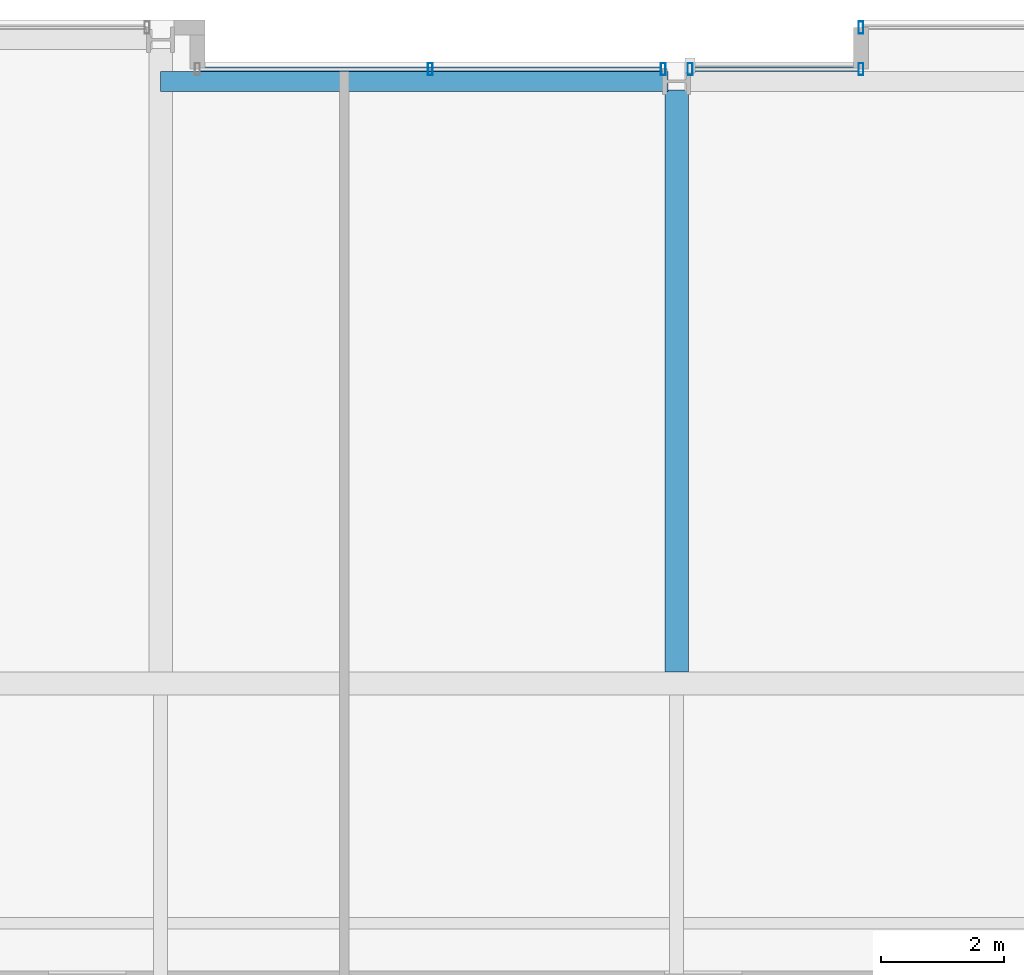
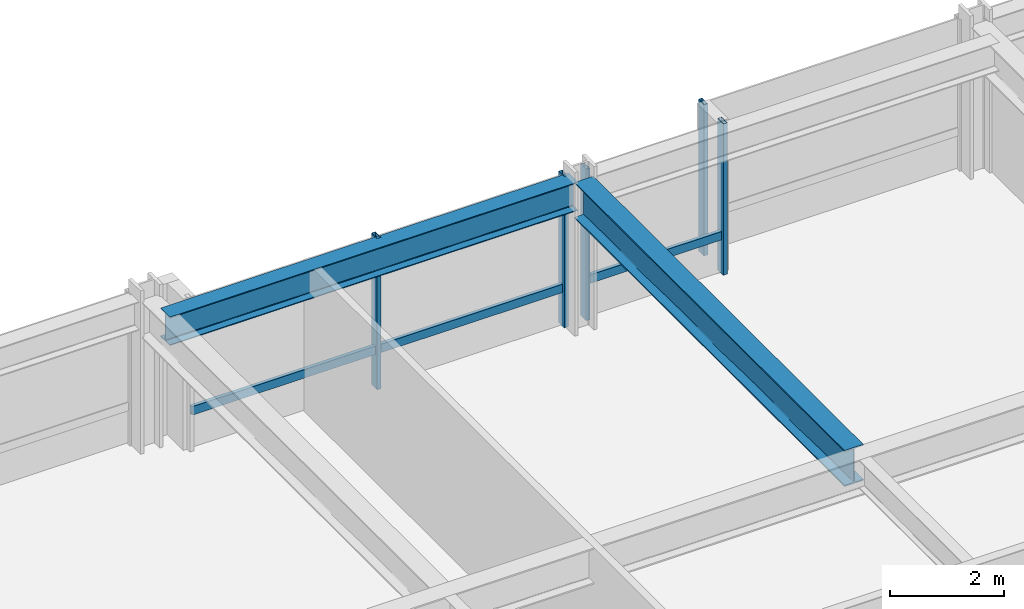
# One storey, part 22 of 34: 7 members, 2 beams, 3 elements without a shape of their own.
"""IFC4 building model written with IfcOpenShell, lengths in metres."""

from ifc_helpers import new_model, si_unit, direction, frame, origin, origin_2d, place, context, subcontext, project, spatial, hollow_rectangle, i_section, extrude, material, layer, layer_set, material_profile, profile_set, type_object, element, aggregate, save


model = new_model("IFC4")

# Units and contexts
model_context = context("Model", 3, precision=1e-05, world=origin(), true_north=direction((0.0, 1.0)))
body_context = subcontext(model_context, "Body", "Model", "MODEL_VIEW")
ifc_project = project(units=[si_unit("LENGTHUNIT", "METRE"), si_unit("AREAUNIT", "SQUARE_METRE"), si_unit("VOLUMEUNIT", "CUBIC_METRE"), si_unit("PLANEANGLEUNIT", "RADIAN"), si_unit("MASSUNIT", "GRAM", prefix="KILO")], contexts=[model_context])

# Site, building, storey
site_placement = place(None, origin())
site = spatial("IfcSite", under=ifc_project, at=site_placement, CompositionType="ELEMENT")
building_placement = place(site_placement, origin())
building = spatial("IfcBuilding", under=site, at=building_placement, Name="Drelvath Grand Hotel", CompositionType="ELEMENT")
storey_placement = place(building_placement, frame((0.0, 0.0, 116.300048828125)))
storey = spatial("IfcBuildingStorey", under=building, at=storey_placement, Name="L29", CompositionType="ELEMENT", Elevation=116.300048828125)

# Curtain wall, member
ifc_material_1 = material(Name="Champagne Bronze Anodised Aluminium Frame", Category="aluminium")
ifc_layer = layer(ifc_material_1, 0.199951171875)
ifc_layer_set = layer_set([ifc_layer], Name="Champagne Bronze Anodised Aluminium Frame")
curtain_wall_type = type_object("IfcCurtainWallType", Name="Stick Curtain Wall CW-03 Champagne Bronze Mid-Rise", PredefinedType="NOTDEFINED", material=ifc_layer_set)
curtain_wall_1_placement = place(storey_placement, origin())
curtain_wall_1 = element("IfcCurtainWall", 1, at=curtain_wall_1_placement, inside=storey, type_object=curtain_wall_type, Name="L29 CW-03 Curtain Wall CW03-L29-NM1", PredefinedType="NOTDEFINED")
ifc_material_profile_1 = material_profile(ifc_material_1, hollow_rectangle(XDim=0.074951171875, YDim=0.179931640625, WallThickness=0.0048828125, at=origin_2d()), Name="HSS180X75X5")
ifc_profile_set_1 = profile_set([ifc_material_profile_1], Name="Champagne Bronze Anodised Aluminium Frame")
member_type_1 = type_object("IfcMemberType", Name="Curtain Wall Horizontal Transom CW-03 HSS180X75X5", PredefinedType="USERDEFINED", material=ifc_profile_set_1)
member_1_placement = place(storey_placement, frame((-7.760009765625, 53.199951171875, 0.81005859375), z_axis=(1.0, 0.0, 0.0), x_axis=(0.0, 1.0, 0.0)))
member_1 = element("IfcMember", 2, at=member_1_placement, type_object=member_type_1, Name="CW03-L29-NM1 Sill Transom", ObjectType="TRANSOM", PredefinedType="USERDEFINED", context=body_context, shape_type="SweptSolid", body=[
    extrude(hollow_rectangle(XDim=0.074951171875, YDim=0.179931640625, WallThickness=0.0048828125, at=origin_2d()), origin(), (0.0, 0.0, 1.0), 7.50048828125),
])

curtain_wall_2_placement = place(storey_placement, origin())
curtain_wall_2 = element("IfcCurtainWall", 3, at=curtain_wall_2_placement, inside=storey, type_object=curtain_wall_type, Name="L29 CW-03 Curtain Wall CW03-L29-NM2", PredefinedType="NOTDEFINED")
member_2_placement = place(storey_placement, frame((0.259521484375, 53.199951171875, 0.81005859375), z_axis=(1.0, 0.0, 0.0), x_axis=(0.0, 1.0, 0.0)))
member_2 = element("IfcMember", 4, at=member_2_placement, type_object=member_type_1, Name="CW03-L29-NM2 Sill Transom", ObjectType="TRANSOM", PredefinedType="USERDEFINED", context=body_context, shape_type="SweptSolid", body=[
    extrude(hollow_rectangle(XDim=0.074951171875, YDim=0.179931640625, WallThickness=0.0048828125, at=origin_2d()), origin(), (0.0, 0.0, 1.0), 2.700439453125),
])

# Member
ifc_material_profile_2 = material_profile(ifc_material_1, hollow_rectangle(XDim=0.080078125, YDim=0.199951171875, WallThickness=0.0048828125, at=origin_2d()), Name="HSS200X80X5")
ifc_profile_set_2 = profile_set([ifc_material_profile_2], Name="Champagne Bronze Anodised Aluminium Frame")
member_type_2 = type_object("IfcMemberType", Name="Curtain Wall Vertical Mullion CW-03 HSS200X80X5", PredefinedType="MULLION", material=ifc_profile_set_2)
member_3_placement = place(storey_placement, frame((-4.009765625, 53.199951171875, 0.0), z_axis=(0.0, 0.0, 1.0), x_axis=(1.0, 0.0, 0.0)))
member_3 = element("IfcMember", 5, at=member_3_placement, type_object=member_type_2, Name="CW03-L29-NM1 Mullion 2", PredefinedType="MULLION", context=body_context, shape_type="SweptSolid", body=[
    extrude(hollow_rectangle(XDim=0.080078125, YDim=0.199951171875, WallThickness=0.0048828125, at=origin_2d()), origin(), (0.0, 0.0, 1.0), 3.239990234375),
])

member_4_placement = place(storey_placement, frame((-0.219482421875, 53.199951171875, 0.0), z_axis=(0.0, 0.0, 1.0), x_axis=(1.0, 0.0, 0.0)))
member_4 = element("IfcMember", 6, at=member_4_placement, type_object=member_type_2, Name="CW03-L29-NM1 Mullion 3", PredefinedType="MULLION", context=body_context, shape_type="SweptSolid", body=[
    extrude(hollow_rectangle(XDim=0.080078125, YDim=0.199951171875, WallThickness=0.0048828125, at=origin_2d()), origin(), (0.0, 0.0, 1.0), 3.239990234375),
])

aggregate(curtain_wall_1, [member_3, member_4, member_1])

member_5_placement = place(storey_placement, frame((0.219482421875, 53.199951171875, 0.0), z_axis=(0.0, 0.0, 1.0), x_axis=(1.0, 0.0, 0.0)))
member_5 = element("IfcMember", 7, at=member_5_placement, type_object=member_type_2, Name="CW03-L29-NM2 Mullion 1", PredefinedType="MULLION", context=body_context, shape_type="SweptSolid", body=[
    extrude(hollow_rectangle(XDim=0.080078125, YDim=0.199951171875, WallThickness=0.0048828125, at=origin_2d()), origin(), (0.0, 0.0, 1.0), 3.239990234375),
])

member_6_placement = place(storey_placement, frame((3.0, 53.199951171875, 0.0), z_axis=(0.0, 0.0, 1.0), x_axis=(1.0, 0.0, 0.0)))
member_6 = element("IfcMember", 8, at=member_6_placement, type_object=member_type_2, Name="CW03-L29-NM2 Mullion 2", PredefinedType="MULLION", context=body_context, shape_type="SweptSolid", body=[
    extrude(hollow_rectangle(XDim=0.080078125, YDim=0.199951171875, WallThickness=0.0048828125, at=origin_2d()), origin(), (0.0, 0.0, 1.0), 3.239990234375),
])

aggregate(curtain_wall_2, [member_5, member_6, member_2])

# Curtain wall, member
curtain_wall_3_placement = place(storey_placement, origin())
curtain_wall_3 = element("IfcCurtainWall", 9, at=curtain_wall_3_placement, inside=storey, type_object=curtain_wall_type, Name="L29 CW-03 Curtain Wall CW03-L29-NE1", PredefinedType="NOTDEFINED")
member_7_placement = place(storey_placement, frame((3.0, 53.8798828125, 0.0), z_axis=(0.0, 0.0, 1.0), x_axis=(1.0, 0.0, 0.0)))
member_7 = element("IfcMember", 10, at=member_7_placement, type_object=member_type_2, Name="CW03-L29-NE1 Mullion 1", PredefinedType="MULLION", context=body_context, shape_type="SweptSolid", body=[
    extrude(hollow_rectangle(XDim=0.080078125, YDim=0.199951171875, WallThickness=0.0048828125, at=origin_2d()), origin(), (0.0, 0.0, 1.0), 3.239990234375),
])
aggregate(curtain_wall_3, [member_7])

# Beams
ifc_material_2 = material(Name="Steel ASTM A992 Gr 50", Category="steel")
ifc_material_profile_3 = material_profile(ifc_material_2, i_section(OverallWidth=0.323974609375, OverallDepth=0.611083984375, WebThickness=0.0126953125, FlangeThickness=0.01904296875, FilletRadius=0.02197265625, at=origin_2d()), Name="W24X104")
ifc_profile_set_3 = profile_set([ifc_material_profile_3], Name="Steel ASTM A992 Gr 50")
beam_type_1 = type_object("IfcBeamType", Name="Perimeter Spandrel Beam W24X104", PredefinedType="SPANDREL", material=ifc_profile_set_3)
beam_1_placement = place(storey_placement, frame((-8.39990234375, 53.0, 2.9345703125), z_axis=(1.0, 0.0, 0.0), x_axis=(0.0, 1.0, 0.0)))
element("IfcBeam", 11, at=beam_1_placement, inside=storey, type_object=beam_type_1, Name="L29 Spandrel North Mid W", PredefinedType="SPANDREL", context=body_context, shape_type="SweptSolid", body=[
    extrude(i_section(OverallWidth=0.323974609375, OverallDepth=0.611083984375, WebThickness=0.0126953125, FlangeThickness=0.01904296875, FilletRadius=0.02197265625, at=origin_2d()), origin(), (0.0, 0.0, 1.0), 8.260009765625),
])
ifc_material_profile_4 = material_profile(ifc_material_2, i_section(OverallWidth=0.380615234375, OverallDepth=0.773193359375, WebThickness=0.0166015625, FlangeThickness=0.027099609375, FilletRadius=0.02490234375, at=origin_2d()), Name="W30X173")
ifc_profile_set_4 = profile_set([ifc_material_profile_4], Name="Steel ASTM A992 Gr 50")
beam_type_2 = type_object("IfcBeamType", Name="Primary Floor Girder W30X173", PredefinedType="BEAM", material=ifc_profile_set_4)
beam_2_placement = place(storey_placement, frame((0.0, 43.390380859375, 2.853271484375), z_axis=(0.0, 1.0, 0.0), x_axis=(-1.0, 0.0, 0.0)))
element("IfcBeam", 12, at=beam_2_placement, inside=storey, type_object=beam_type_2, Name="L29 North Wing Girder 5", PredefinedType="BEAM", context=body_context, shape_type="SweptSolid", body=[
    extrude(i_section(OverallWidth=0.380615234375, OverallDepth=0.773193359375, WebThickness=0.0166015625, FlangeThickness=0.027099609375, FilletRadius=0.02490234375, at=origin_2d()), origin(), (0.0, 0.0, 1.0), 9.4697265625),
])

save(model, "model.ifc")
